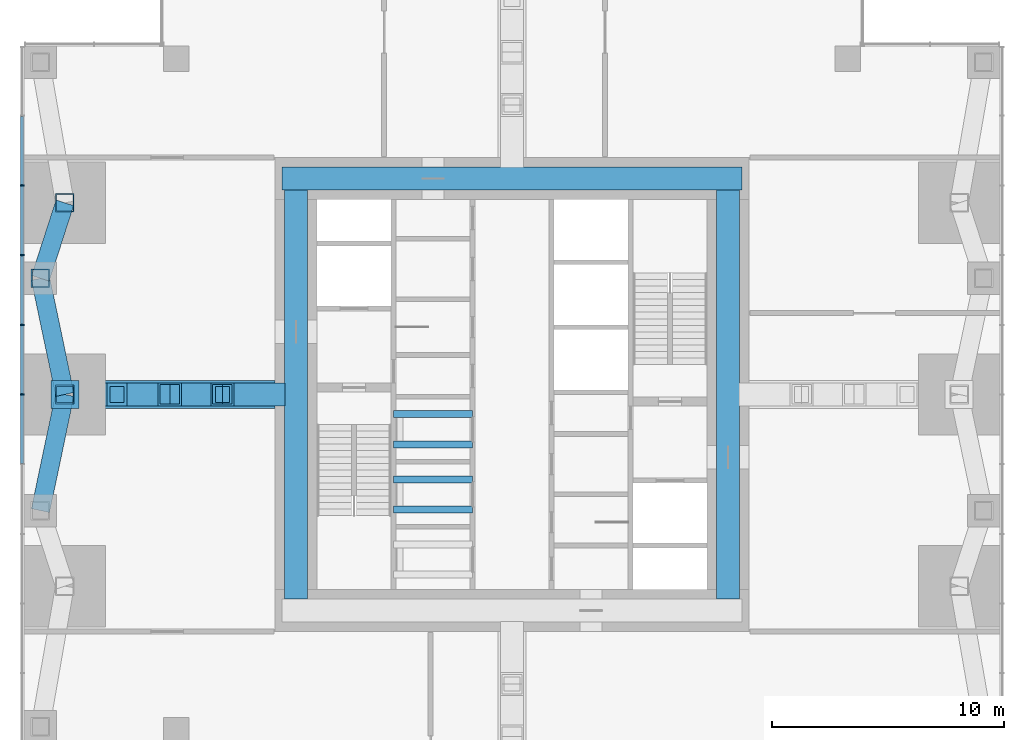
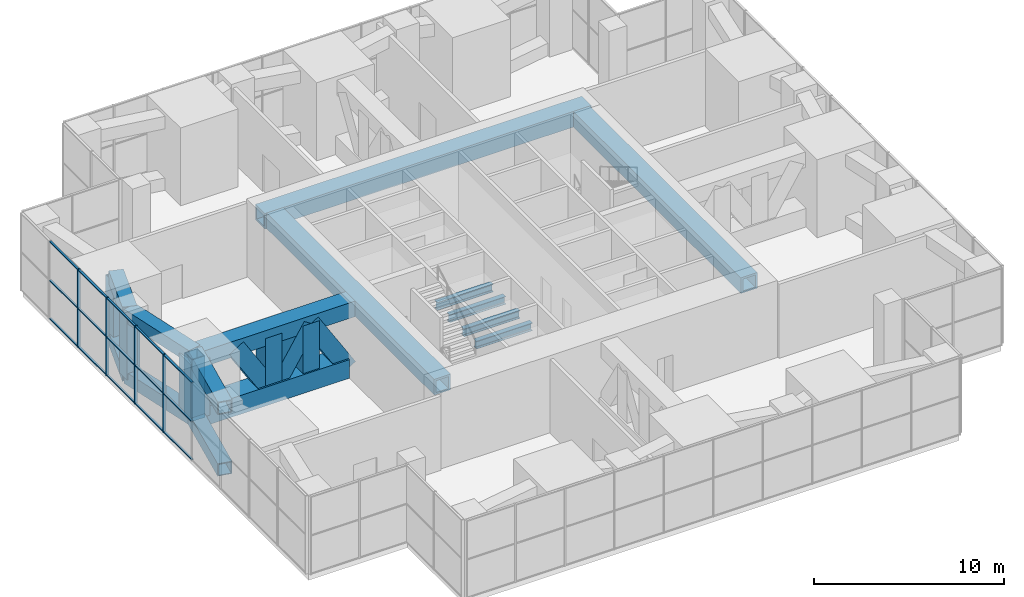
# One storey, part 4 of 13: 39 members, 4 beams, 1 element without a shape of its own.
"""IFC4 building model written with IfcOpenShell, lengths in metres."""

from ifc_helpers import new_model, si_unit, direction, frame, origin, origin_2d, place, context, subcontext, project, spatial, rectangle, hollow_rectangle, i_section, extrude, material, material_profile, profile_set, type_object, element, aggregate, save


model = new_model("IFC4")

# Units and contexts
model_context = context("Model", 3, precision=1e-05, world=origin(), true_north=direction((0.0, 1.0)))
body_context = subcontext(model_context, "Body", "Model", "MODEL_VIEW")
ifc_project = project(units=[si_unit("LENGTHUNIT", "METRE"), si_unit("AREAUNIT", "SQUARE_METRE"), si_unit("VOLUMEUNIT", "CUBIC_METRE"), si_unit("PLANEANGLEUNIT", "RADIAN"), si_unit("MASSUNIT", "GRAM", prefix="KILO")], contexts=[model_context])

# Site, building, storey
site_placement = place(None, origin())
site = spatial("IfcSite", under=ifc_project, at=site_placement, CompositionType="ELEMENT")
building_placement = place(site_placement, origin())
building = spatial("IfcBuilding", under=site, at=building_placement, Name="Svetlomir Tower", CompositionType="ELEMENT")
storey_placement = place(building_placement, frame((0.0, 0.0, 86.5)))
storey = spatial("IfcBuildingStorey", under=building, at=storey_placement, Name="L20", CompositionType="ELEMENT", Elevation=86.5)

# Members
ifc_material_1 = material(Name="Steel S355", Category="steel")
ifc_material_profile_1 = material_profile(ifc_material_1, hollow_rectangle(XDim=0.800048828125, YDim=0.800048828125, WallThickness=0.050048828125, at=origin_2d()), Name="BOX 800x800x50")
ifc_profile_set_1 = profile_set([ifc_material_profile_1], Name="Steel S355")
member_type_1 = type_object("IfcMemberType", Name="BELT FRAME CHORD BOX 800x800x50", PredefinedType="CHORD", material=ifc_profile_set_1)
for number, where, z_axis, x_axis, name in (
    (1, (0.699951171875, 16.0, 0.39990234375), (0.205526387753, 0.978651574329, 0.0), (-0.978651574329, 0.205526387753, 0.0), "Belt frame W L20 bottom chord 3"),
    (2, (0.699951171875, 16.0, 4.35009765625), (0.205526387753, 0.978651574329, 0.0), (-0.978651574329, 0.205526387753, 0.0), "Belt frame W L20 top chord 3"),
    (3, (1.75, 21.0, 0.39990234375), (-0.205526387753, 0.978651574329, 0.0), (-0.978651574329, -0.205526387753, 0.0), "Belt frame W L20 bottom chord 4"),
    (4, (1.75, 21.0, 4.35009765625), (-0.205526387753, 0.978651574329, 0.0), (-0.978651574329, -0.205526387753, 0.0), "Belt frame W L20 top chord 4"),
):
    element("IfcMember", number, at=place(storey_placement, frame(where, z_axis=z_axis, x_axis=x_axis)), inside=storey, type_object=member_type_1, Name=name, PredefinedType="CHORD", context=body_context, shape_type="SweptSolid", body=[
        extrude(hollow_rectangle(XDim=0.800048828125, YDim=0.800048828125, WallThickness=0.050048828125, at=origin_2d()), origin(), (0.0, 0.0, 1.0), 5.109130859375),
    ])
for number, where, z_axis, x_axis, name in (
    (5, (0.699951171875, 26.0, 0.39990234375), (0.307443428225, 0.951566360503, 0.0), (-0.951566360503, 0.307443428225, 0.0), "Belt frame W L20 bottom chord 5"),
    (6, (0.699951171875, 26.0, 4.35009765625), (0.307443428225, 0.951566360503, 0.0), (-0.951566360503, 0.307443428225, 0.0), "Belt frame W L20 top chord 5"),
):
    element("IfcMember", number, at=place(storey_placement, frame(where, z_axis=z_axis, x_axis=x_axis)), inside=storey, type_object=member_type_1, Name=name, PredefinedType="CHORD", context=body_context, shape_type="SweptSolid", body=[
        extrude(hollow_rectangle(XDim=0.800048828125, YDim=0.800048828125, WallThickness=0.050048828125, at=origin_2d()), origin(), (0.0, 0.0, 1.0), 3.41552734375),
    ])
ifc_material_2 = material(Name="Steel S355", Category="steel")
ifc_material_profile_2 = material_profile(ifc_material_2, hollow_rectangle(XDim=0.800048828125, YDim=0.800048828125, WallThickness=0.050048828125, at=origin_2d()), Name="BOX 800x800x50")
ifc_profile_set_2 = profile_set([ifc_material_profile_2], Name="Steel S355")
member_type_2 = type_object("IfcMemberType", Name="BELT FRAME POST BOX 800x800x50", PredefinedType="POST", material=ifc_profile_set_2)
for number, where, z_axis, x_axis, name in (
    (7, (1.75, 21.0, 0.39990234375), (0.0, 0.0, 1.0), (1.0, 0.0, 0.0), "Belt frame W L20 post 4"),
    (8, (0.699951171875, 26.0, 0.39990234375), (0.0, 0.0, 1.0), (1.0, 0.0, 0.0), "Belt frame W L20 post 5"),
    (9, (1.75, 29.25, 0.39990234375), (0.0, 0.0, 1.0), (1.0, 0.0, 0.0), "Belt frame W L20 post 6"),
):
    element("IfcMember", number, at=place(storey_placement, frame(where, z_axis=z_axis, x_axis=x_axis)), inside=storey, type_object=member_type_2, Name=name, PredefinedType="POST", context=body_context, shape_type="SweptSolid", body=[
        extrude(hollow_rectangle(XDim=0.800048828125, YDim=0.800048828125, WallThickness=0.050048828125, at=origin_2d()), origin(), (0.0, 0.0, 1.0), 3.9501953125),
    ])

# Curtain wall, members
ifc_material_3 = material(Name="Bronze anodised aluminium curtain wall", Category="aluminium")
curtain_wall_type = type_object("IfcCurtainWallType", Name="CURTAIN WALL CW3 PLANT LOUVRE", PredefinedType="NOTDEFINED", material=ifc_material_3)
curtain_wall_placement = place(storey_placement, origin())
curtain_wall = element("IfcCurtainWall", 10, at=curtain_wall_placement, inside=storey, type_object=curtain_wall_type, Name="Curtain wall CW3 L20", PredefinedType="NOTDEFINED")
ifc_material_4 = material(Name="Bronze anodised aluminium", Category="aluminium")
ifc_material_profile_3 = material_profile(ifc_material_4, rectangle(XDim=0.06494140625, YDim=0.179931640625, at=origin_2d()), Name="AL 65x180")
ifc_profile_set_3 = profile_set([ifc_material_profile_3], Name="Bronze anodised aluminium 6063-T6")
member_type_3 = type_object("IfcMemberType", Name="CW3 MULLION 65x180", PredefinedType="MULLION", material=ifc_profile_set_3)
member_1_placement = place(storey_placement, frame((-0.090087890625, 30.0, 0.0), z_axis=(0.0, 0.0, 1.0), x_axis=(0.0, -1.0, 0.0)))
member_1 = element("IfcMember", 11, at=member_1_placement, type_object=member_type_3, Name="CW3 mullion 3", PredefinedType="MULLION", context=body_context, shape_type="SweptSolid", body=[
    extrude(rectangle(XDim=0.06494140625, YDim=0.179931640625, at=origin_2d()), origin(), (0.0, 0.0, 1.0), 5.0),
])
member_2_placement = place(storey_placement, frame((-0.090087890625, 27.0, 0.0), z_axis=(0.0, 0.0, 1.0), x_axis=(0.0, -1.0, 0.0)))
member_2 = element("IfcMember", 12, at=member_2_placement, type_object=member_type_3, Name="CW3 mullion 4", PredefinedType="MULLION", context=body_context, shape_type="SweptSolid", body=[
    extrude(rectangle(XDim=0.06494140625, YDim=0.179931640625, at=origin_2d()), origin(), (0.0, 0.0, 1.0), 5.0),
])
member_3_placement = place(storey_placement, frame((-0.090087890625, 24.0, 0.0), z_axis=(0.0, 0.0, 1.0), x_axis=(0.0, -1.0, 0.0)))
member_3 = element("IfcMember", 13, at=member_3_placement, type_object=member_type_3, Name="CW3 mullion 5", PredefinedType="MULLION", context=body_context, shape_type="SweptSolid", body=[
    extrude(rectangle(XDim=0.06494140625, YDim=0.179931640625, at=origin_2d()), origin(), (0.0, 0.0, 1.0), 5.0),
])
member_4_placement = place(storey_placement, frame((-0.090087890625, 21.0, 0.0), z_axis=(0.0, 0.0, 1.0), x_axis=(0.0, -1.0, 0.0)))
member_4 = element("IfcMember", 14, at=member_4_placement, type_object=member_type_3, Name="CW3 mullion 6", PredefinedType="MULLION", context=body_context, shape_type="SweptSolid", body=[
    extrude(rectangle(XDim=0.06494140625, YDim=0.179931640625, at=origin_2d()), origin(), (0.0, 0.0, 1.0), 5.0),
])
ifc_material_5 = material(Name="Bronze anodised aluminium", Category="aluminium")
ifc_material_profile_4 = material_profile(ifc_material_5, rectangle(XDim=0.1201171875, YDim=0.06494140625, at=origin_2d()), Name="AL 120x65")
ifc_profile_set_4 = profile_set([ifc_material_profile_4], Name="Bronze anodised aluminium 6063-T6")
member_type_4 = type_object("IfcMemberType", Name="CW3 TRANSOM 65x120", PredefinedType="USERDEFINED", material=ifc_profile_set_4)
member_5_placement = place(storey_placement, frame((-0.090087890625, 32.967529296875, 0.032470703125), z_axis=(0.0, -1.0, 0.0), x_axis=(1.0, 0.0, 0.0)))
member_5 = element("IfcMember", 15, at=member_5_placement, type_object=member_type_4, Name="CW3 transom 2.1", ObjectType="TRANSOM", PredefinedType="USERDEFINED", context=body_context, shape_type="SweptSolid", body=[
    extrude(rectangle(XDim=0.1201171875, YDim=0.06494140625, at=origin_2d()), origin(), (0.0, 0.0, 1.0), 2.93505859375),
])
member_6_placement = place(storey_placement, frame((-0.090087890625, 32.967529296875, 2.48388671875), z_axis=(0.0, -1.0, 0.0), x_axis=(1.0, 0.0, 0.0)))
member_6 = element("IfcMember", 16, at=member_6_placement, type_object=member_type_4, Name="CW3 transom 2.2", ObjectType="TRANSOM", PredefinedType="USERDEFINED", context=body_context, shape_type="SweptSolid", body=[
    extrude(rectangle(XDim=0.1201171875, YDim=0.06494140625, at=origin_2d()), origin(), (0.0, 0.0, 1.0), 2.93505859375),
])
member_7_placement = place(storey_placement, frame((-0.090087890625, 32.967529296875, 4.967529296875), z_axis=(0.0, -1.0, 0.0), x_axis=(1.0, 0.0, 0.0)))
member_7 = element("IfcMember", 17, at=member_7_placement, type_object=member_type_4, Name="CW3 transom 2.3", ObjectType="TRANSOM", PredefinedType="USERDEFINED", context=body_context, shape_type="SweptSolid", body=[
    extrude(rectangle(XDim=0.1201171875, YDim=0.06494140625, at=origin_2d()), origin(), (0.0, 0.0, 1.0), 2.93505859375),
])
member_8_placement = place(storey_placement, frame((-0.090087890625, 29.967529296875, 0.032470703125), z_axis=(0.0, -1.0, 0.0), x_axis=(1.0, 0.0, 0.0)))
member_8 = element("IfcMember", 18, at=member_8_placement, type_object=member_type_4, Name="CW3 transom 3.1", ObjectType="TRANSOM", PredefinedType="USERDEFINED", context=body_context, shape_type="SweptSolid", body=[
    extrude(rectangle(XDim=0.1201171875, YDim=0.06494140625, at=origin_2d()), origin(), (0.0, 0.0, 1.0), 2.93505859375),
])
member_9_placement = place(storey_placement, frame((-0.090087890625, 29.967529296875, 2.48388671875), z_axis=(0.0, -1.0, 0.0), x_axis=(1.0, 0.0, 0.0)))
member_9 = element("IfcMember", 19, at=member_9_placement, type_object=member_type_4, Name="CW3 transom 3.2", ObjectType="TRANSOM", PredefinedType="USERDEFINED", context=body_context, shape_type="SweptSolid", body=[
    extrude(rectangle(XDim=0.1201171875, YDim=0.06494140625, at=origin_2d()), origin(), (0.0, 0.0, 1.0), 2.93505859375),
])
member_10_placement = place(storey_placement, frame((-0.090087890625, 29.967529296875, 4.967529296875), z_axis=(0.0, -1.0, 0.0), x_axis=(1.0, 0.0, 0.0)))
member_10 = element("IfcMember", 20, at=member_10_placement, type_object=member_type_4, Name="CW3 transom 3.3", ObjectType="TRANSOM", PredefinedType="USERDEFINED", context=body_context, shape_type="SweptSolid", body=[
    extrude(rectangle(XDim=0.1201171875, YDim=0.06494140625, at=origin_2d()), origin(), (0.0, 0.0, 1.0), 2.93505859375),
])
member_11_placement = place(storey_placement, frame((-0.090087890625, 26.967529296875, 0.032470703125), z_axis=(0.0, -1.0, 0.0), x_axis=(1.0, 0.0, 0.0)))
member_11 = element("IfcMember", 21, at=member_11_placement, type_object=member_type_4, Name="CW3 transom 4.1", ObjectType="TRANSOM", PredefinedType="USERDEFINED", context=body_context, shape_type="SweptSolid", body=[
    extrude(rectangle(XDim=0.1201171875, YDim=0.06494140625, at=origin_2d()), origin(), (0.0, 0.0, 1.0), 2.93505859375),
])
member_12_placement = place(storey_placement, frame((-0.090087890625, 26.967529296875, 2.48388671875), z_axis=(0.0, -1.0, 0.0), x_axis=(1.0, 0.0, 0.0)))
member_12 = element("IfcMember", 22, at=member_12_placement, type_object=member_type_4, Name="CW3 transom 4.2", ObjectType="TRANSOM", PredefinedType="USERDEFINED", context=body_context, shape_type="SweptSolid", body=[
    extrude(rectangle(XDim=0.1201171875, YDim=0.06494140625, at=origin_2d()), origin(), (0.0, 0.0, 1.0), 2.93505859375),
])
member_13_placement = place(storey_placement, frame((-0.090087890625, 26.967529296875, 4.967529296875), z_axis=(0.0, -1.0, 0.0), x_axis=(1.0, 0.0, 0.0)))
member_13 = element("IfcMember", 23, at=member_13_placement, type_object=member_type_4, Name="CW3 transom 4.3", ObjectType="TRANSOM", PredefinedType="USERDEFINED", context=body_context, shape_type="SweptSolid", body=[
    extrude(rectangle(XDim=0.1201171875, YDim=0.06494140625, at=origin_2d()), origin(), (0.0, 0.0, 1.0), 2.93505859375),
])
member_14_placement = place(storey_placement, frame((-0.090087890625, 23.967529296875, 0.032470703125), z_axis=(0.0, -1.0, 0.0), x_axis=(1.0, 0.0, 0.0)))
member_14 = element("IfcMember", 24, at=member_14_placement, type_object=member_type_4, Name="CW3 transom 5.1", ObjectType="TRANSOM", PredefinedType="USERDEFINED", context=body_context, shape_type="SweptSolid", body=[
    extrude(rectangle(XDim=0.1201171875, YDim=0.06494140625, at=origin_2d()), origin(), (0.0, 0.0, 1.0), 2.93505859375),
])
member_15_placement = place(storey_placement, frame((-0.090087890625, 23.967529296875, 2.48388671875), z_axis=(0.0, -1.0, 0.0), x_axis=(1.0, 0.0, 0.0)))
member_15 = element("IfcMember", 25, at=member_15_placement, type_object=member_type_4, Name="CW3 transom 5.2", ObjectType="TRANSOM", PredefinedType="USERDEFINED", context=body_context, shape_type="SweptSolid", body=[
    extrude(rectangle(XDim=0.1201171875, YDim=0.06494140625, at=origin_2d()), origin(), (0.0, 0.0, 1.0), 2.93505859375),
])
member_16_placement = place(storey_placement, frame((-0.090087890625, 23.967529296875, 4.967529296875), z_axis=(0.0, -1.0, 0.0), x_axis=(1.0, 0.0, 0.0)))
member_16 = element("IfcMember", 26, at=member_16_placement, type_object=member_type_4, Name="CW3 transom 5.3", ObjectType="TRANSOM", PredefinedType="USERDEFINED", context=body_context, shape_type="SweptSolid", body=[
    extrude(rectangle(XDim=0.1201171875, YDim=0.06494140625, at=origin_2d()), origin(), (0.0, 0.0, 1.0), 2.93505859375),
])
member_17_placement = place(storey_placement, frame((-0.090087890625, 20.967529296875, 0.032470703125), z_axis=(0.0, -1.0, 0.0), x_axis=(1.0, 0.0, 0.0)))
member_17 = element("IfcMember", 27, at=member_17_placement, type_object=member_type_4, Name="CW3 transom 6.1", ObjectType="TRANSOM", PredefinedType="USERDEFINED", context=body_context, shape_type="SweptSolid", body=[
    extrude(rectangle(XDim=0.1201171875, YDim=0.06494140625, at=origin_2d()), origin(), (0.0, 0.0, 1.0), 2.93505859375),
])
member_18_placement = place(storey_placement, frame((-0.090087890625, 20.967529296875, 2.48388671875), z_axis=(0.0, -1.0, 0.0), x_axis=(1.0, 0.0, 0.0)))
member_18 = element("IfcMember", 28, at=member_18_placement, type_object=member_type_4, Name="CW3 transom 6.2", ObjectType="TRANSOM", PredefinedType="USERDEFINED", context=body_context, shape_type="SweptSolid", body=[
    extrude(rectangle(XDim=0.1201171875, YDim=0.06494140625, at=origin_2d()), origin(), (0.0, 0.0, 1.0), 2.93505859375),
])
member_19_placement = place(storey_placement, frame((-0.090087890625, 20.967529296875, 4.967529296875), z_axis=(0.0, -1.0, 0.0), x_axis=(1.0, 0.0, 0.0)))
member_19 = element("IfcMember", 29, at=member_19_placement, type_object=member_type_4, Name="CW3 transom 6.3", ObjectType="TRANSOM", PredefinedType="USERDEFINED", context=body_context, shape_type="SweptSolid", body=[
    extrude(rectangle(XDim=0.1201171875, YDim=0.06494140625, at=origin_2d()), origin(), (0.0, 0.0, 1.0), 2.93505859375),
])
aggregate(curtain_wall, [member_1, member_2, member_3, member_4, member_5, member_6, member_7, member_8, member_9, member_10, member_11, member_12, member_13, member_14, member_15, member_16, member_17, member_18, member_19])

# Beams
ifc_material_6 = material(Name="Steel S355", Category="steel")
ifc_material_profile_5 = material_profile(ifc_material_6, i_section(OverallWidth=0.300048828125, OverallDepth=0.5, WebThickness=0.014404296875, FlangeThickness=0.028076171875, FilletRadius=0.027099609375, at=origin_2d()), Name="HEB 500")
ifc_profile_set_5 = profile_set([ifc_material_profile_5], Name="Steel S355")
beam_type = type_object("IfcBeamType", Name="LIFT PIT BEAM HEB 500", PredefinedType="BEAM", material=ifc_profile_set_5)
for number, where, z_axis, x_axis, name in (
    (30, (15.89990234375, 16.050048828125, 3.050048828125), (1.0, 0.0, 0.0), (0.0, 1.0, 0.0), "Lift pit beam BANK-W2 1 under L21"),
    (31, (15.89990234375, 17.35009765625, 3.050048828125), (1.0, 0.0, 0.0), (0.0, 1.0, 0.0), "Lift pit beam BANK-W2 2 under L21"),
    (32, (15.89990234375, 18.85009765625, 3.050048828125), (1.0, 0.0, 0.0), (0.0, 1.0, 0.0), "Lift pit beam BANK-W3 1 under L21"),
    (33, (15.89990234375, 20.14990234375, 3.050048828125), (1.0, 0.0, 0.0), (0.0, 1.0, 0.0), "Lift pit beam BANK-W3 2 under L21"),
):
    element("IfcBeam", number, at=place(storey_placement, frame(where, z_axis=z_axis, x_axis=x_axis)), inside=storey, type_object=beam_type, Name=name, PredefinedType="BEAM", context=body_context, shape_type="SweptSolid", body=[
        extrude(i_section(OverallWidth=0.300048828125, OverallDepth=0.5, WebThickness=0.014404296875, FlangeThickness=0.028076171875, FilletRadius=0.027099609375, at=origin_2d()), origin(), (0.0, 0.0, 1.0), 3.400146484375),
    ])

# Members
ifc_material_7 = material(Name="Steel S355", Category="steel")
ifc_material_profile_6 = material_profile(ifc_material_7, hollow_rectangle(XDim=1.0, YDim=1.0, WallThickness=0.1201171875, at=origin_2d()), Name="BOX 1000x1000x120")
ifc_profile_set_6 = profile_set([ifc_material_profile_6], Name="Steel S355")
member_type_5 = type_object("IfcMemberType", Name="OUTRIGGER CHORD BOX 1000x1000x120", PredefinedType="CHORD", material=ifc_profile_set_6)
member_20_placement = place(storey_placement, frame((11.199951171875, 21.0, 4.25), z_axis=(-1.0, 0.0, 0.0), x_axis=(0.0, -1.0, 0.0)))
element("IfcMember", 34, at=member_20_placement, inside=storey, type_object=member_type_5, Name="Outrigger W L20 top chord", PredefinedType="CHORD", context=body_context, shape_type="SweptSolid", body=[
    extrude(hollow_rectangle(XDim=1.0, YDim=1.0, WallThickness=0.1201171875, at=origin_2d()), origin(), (0.0, 0.0, 1.0), 9.449951171875),
])
ifc_material_8 = material(Name="Steel S355", Category="steel")
ifc_material_profile_7 = material_profile(ifc_material_8, hollow_rectangle(XDim=1.199951171875, YDim=1.199951171875, WallThickness=0.14990234375, at=origin_2d()), Name="BOX 1200x1200x150")
ifc_profile_set_7 = profile_set([ifc_material_profile_7], Name="Steel S355")
member_type_6 = type_object("IfcMemberType", Name="OUTRIGGER CHORD BOX 1200x1200x150", PredefinedType="CHORD", material=ifc_profile_set_7)
member_21_placement = place(storey_placement, frame((10.800048828125, 21.0, 0.60009765625), z_axis=(-1.0, 0.0, 0.0), x_axis=(0.0, -1.0, 0.0)))
element("IfcMember", 35, at=member_21_placement, inside=storey, type_object=member_type_6, Name="Outrigger W L20 bottom chord", PredefinedType="CHORD", context=body_context, shape_type="SweptSolid", body=[
    extrude(hollow_rectangle(XDim=1.199951171875, YDim=1.199951171875, WallThickness=0.14990234375, at=origin_2d()), origin(), (0.0, 0.0, 1.0), 9.050048828125),
])
ifc_material_9 = material(Name="Steel S355", Category="steel")
ifc_material_profile_8 = material_profile(ifc_material_9, hollow_rectangle(XDim=1.0, YDim=1.0, WallThickness=0.1201171875, at=origin_2d()), Name="BOX 1000x1000x120")
ifc_profile_set_8 = profile_set([ifc_material_profile_8], Name="Steel S355")
member_type_7 = type_object("IfcMemberType", Name="OUTRIGGER CHORD, EMBEDDED BOX 1000x1000x120", PredefinedType="CHORD", material=ifc_profile_set_8)
member_22_placement = place(storey_placement, frame((11.10009765625, 30.300048828125, 4.25), z_axis=(1.0, 0.0, 0.0), x_axis=(0.0, 1.0, 0.0)))
element("IfcMember", 36, at=member_22_placement, inside=storey, type_object=member_type_7, Name="Embedded outrigger chord N core wall L20 top", PredefinedType="CHORD", context=body_context, shape_type="SweptSolid", body=[
    extrude(hollow_rectangle(XDim=1.0, YDim=1.0, WallThickness=0.1201171875, at=origin_2d()), origin(), (0.0, 0.0, 1.0), 19.7998046875),
])
for number, where, z_axis, x_axis, name in (
    (37, (11.699951171875, 12.199951171875, 4.25), (0.0, 1.0, 0.0), (-1.0, 0.0, 0.0), "Embedded outrigger chord W core wall L20 top"),
    (38, (30.300048828125, 12.199951171875, 4.25), (0.0, 1.0, 0.0), (-1.0, 0.0, 0.0), "Embedded outrigger chord E core wall L20 top"),
):
    element("IfcMember", number, at=place(storey_placement, frame(where, z_axis=z_axis, x_axis=x_axis)), inside=storey, type_object=member_type_7, Name=name, PredefinedType="CHORD", context=body_context, shape_type="SweptSolid", body=[
        extrude(hollow_rectangle(XDim=1.0, YDim=1.0, WallThickness=0.1201171875, at=origin_2d()), origin(), (0.0, 0.0, 1.0), 17.60009765625),
    ])
ifc_material_10 = material(Name="Steel S355", Category="steel")
ifc_material_profile_9 = material_profile(ifc_material_10, hollow_rectangle(XDim=1.0, YDim=1.0, WallThickness=0.14990234375, at=origin_2d()), Name="BOX 1000x1000x150")
ifc_profile_set_9 = profile_set([ifc_material_profile_9], Name="Steel S355")
member_type_8 = type_object("IfcMemberType", Name="OUTRIGGER DIAGONAL BOX 1000x1000x150", PredefinedType="BRACE", material=ifc_profile_set_9)
member_23_placement = place(storey_placement, frame((10.800048828125, 21.0, 0.60009765625), z_axis=(-0.527596228415, 0.0, 0.849495273538), x_axis=(0.0, -1.0, 0.0)))
element("IfcMember", 39, at=member_23_placement, inside=storey, type_object=member_type_8, Name="Outrigger W L20 diagonal 1", PredefinedType="BRACE", context=body_context, shape_type="SweptSolid", body=[
    extrude(hollow_rectangle(XDim=1.0, YDim=1.0, WallThickness=0.14990234375, at=origin_2d()), origin(), (0.0, 0.0, 1.0), 4.296630859375),
])
for number, where, z_axis, x_axis, name in (
    (40, (8.533203125, 21.0, 4.25), (-0.527555221109, 0.0, -0.849520740583), (0.0, -1.0, 0.0), "Outrigger W L20 diagonal 2"),
    (41, (6.2666015625, 21.0, 0.60009765625), (-0.527555221109, 0.0, 0.849520740583), (0.0, -1.0, 0.0), "Outrigger W L20 diagonal 3"),
):
    element("IfcMember", number, at=place(storey_placement, frame(where, z_axis=z_axis, x_axis=x_axis)), inside=storey, type_object=member_type_8, Name=name, PredefinedType="BRACE", context=body_context, shape_type="SweptSolid", body=[
        extrude(hollow_rectangle(XDim=1.0, YDim=1.0, WallThickness=0.14990234375, at=origin_2d()), origin(), (0.0, 0.0, 1.0), 4.29638671875),
    ])
ifc_material_11 = material(Name="Steel S355", Category="steel")
ifc_material_profile_10 = material_profile(ifc_material_11, hollow_rectangle(XDim=1.199951171875, YDim=1.199951171875, WallThickness=0.199951171875, at=origin_2d()), Name="BOX 1200x1200x200")
ifc_profile_set_10 = profile_set([ifc_material_profile_10], Name="Steel S355")
member_type_9 = type_object("IfcMemberType", Name="OUTRIGGER END POST BOX 1200x1200x200", PredefinedType="POST", material=ifc_profile_set_10)
member_24_placement = place(storey_placement, frame((1.75, 21.0, 0.60009765625), z_axis=(0.0, 0.0, 1.0), x_axis=(1.0, 0.0, 0.0)))
element("IfcMember", 42, at=member_24_placement, inside=storey, type_object=member_type_9, Name="Outrigger W L20 end post", PredefinedType="POST", context=body_context, shape_type="SweptSolid", body=[
    extrude(hollow_rectangle(XDim=1.199951171875, YDim=1.199951171875, WallThickness=0.199951171875, at=origin_2d()), origin(), (0.0, 0.0, 1.0), 3.64990234375),
])
ifc_material_12 = material(Name="Steel S355", Category="steel")
ifc_material_profile_11 = material_profile(ifc_material_12, hollow_rectangle(XDim=1.0, YDim=1.0, WallThickness=0.080078125, at=origin_2d()), Name="BOX 1000x1000x80")
ifc_profile_set_11 = profile_set([ifc_material_profile_11], Name="Steel S355")
member_type_10 = type_object("IfcMemberType", Name="OUTRIGGER POST BOX 1000x1000x80", PredefinedType="POST", material=ifc_profile_set_11)
for number, where, z_axis, x_axis, name in (
    (43, (8.533203125, 21.0, 0.60009765625), (0.0, 0.0, 1.0), (1.0, 0.0, 0.0), "Outrigger W L20 post 1"),
    (44, (6.2666015625, 21.0, 0.60009765625), (0.0, 0.0, 1.0), (1.0, 0.0, 0.0), "Outrigger W L20 post 2"),
):
    element("IfcMember", number, at=place(storey_placement, frame(where, z_axis=z_axis, x_axis=x_axis)), inside=storey, type_object=member_type_10, Name=name, PredefinedType="POST", context=body_context, shape_type="SweptSolid", body=[
        extrude(hollow_rectangle(XDim=1.0, YDim=1.0, WallThickness=0.080078125, at=origin_2d()), origin(), (0.0, 0.0, 1.0), 3.64990234375),
    ])

save(model, "model.ifc")
